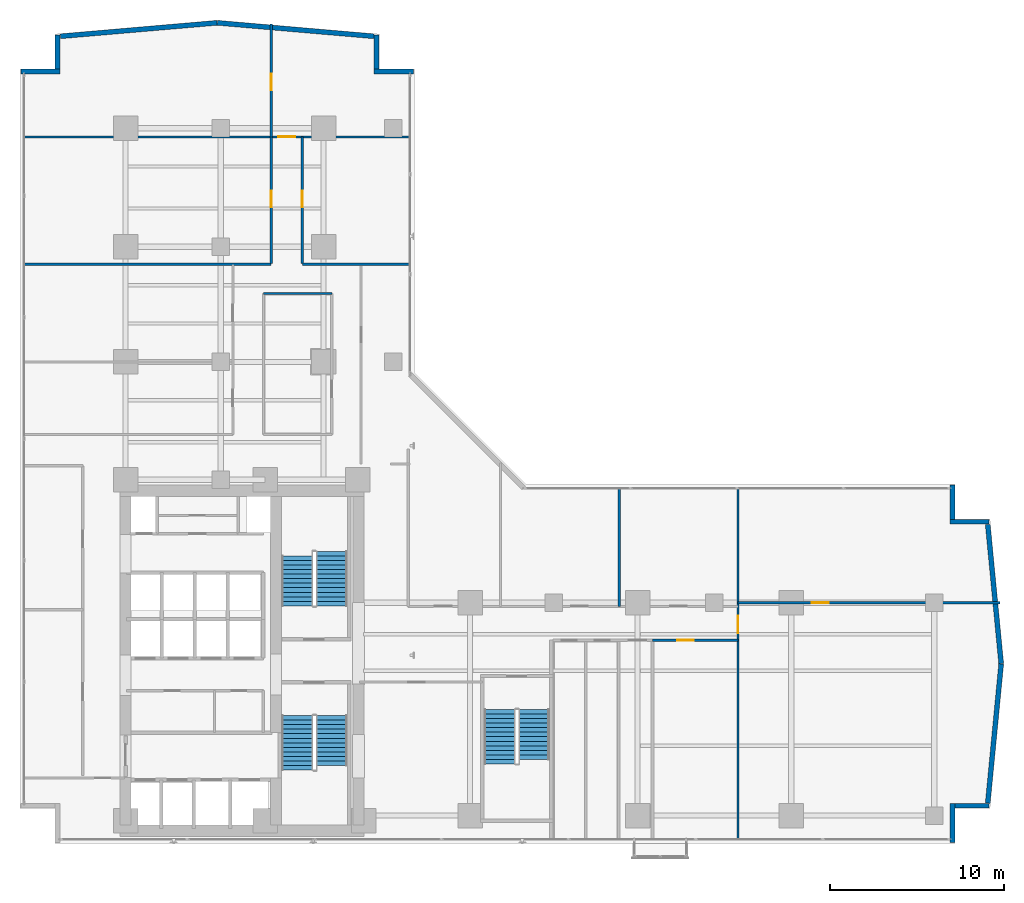
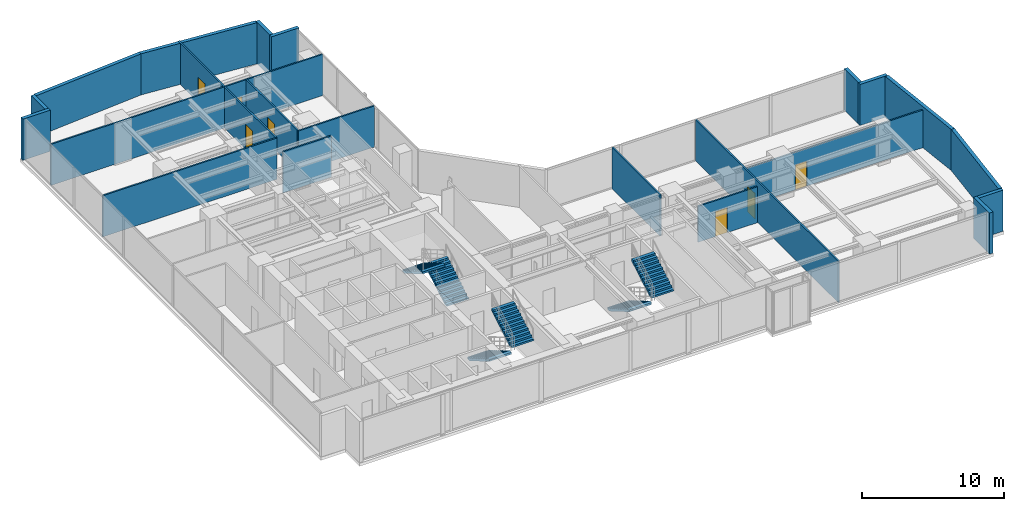
# One storey, part 22 of 27: 23 walls, 7 doors, 6 stair flights, 7 openings, 3 elements without a shape of their own.
"""IFC4 building model written with IfcOpenShell, lengths in metres."""

from ifc_helpers import new_model, si_unit, direction, frame, frame_2d, origin, place, context, subcontext, project, spatial, polyline, rectangle, outline, extrude, material, layer, layer_set, type_object, element, fill, aggregate, save


model = new_model("IFC4")

# Units and contexts
model_context = context("Model", 3, precision=1e-05, world=origin(), true_north=direction((0.0, 1.0)))
body_context = subcontext(model_context, "Body", "Model", "MODEL_VIEW")
ifc_project = project(units=[si_unit("LENGTHUNIT", "METRE"), si_unit("AREAUNIT", "SQUARE_METRE"), si_unit("VOLUMEUNIT", "CUBIC_METRE"), si_unit("PLANEANGLEUNIT", "RADIAN"), si_unit("MASSUNIT", "GRAM", prefix="KILO")], contexts=[model_context])

# Site, building, storey
site_placement = place(None, origin())
site = spatial("IfcSite", under=ifc_project, at=site_placement, CompositionType="ELEMENT")
building_placement = place(site_placement, origin())
building = spatial("IfcBuilding", under=site, at=building_placement, Name="Kolvaren Waterfront Exchange", CompositionType="ELEMENT")
storey_placement = place(building_placement, frame((0.0, 0.0, 118.300048828125)))
storey = spatial("IfcBuildingStorey", under=building, at=storey_placement, Name="L30", CompositionType="ELEMENT", Elevation=118.300048828125)

# Walls
ifc_material_1 = material(Name="Precast concrete C40/50", Category="concrete")
ifc_layer_1 = layer(ifc_material_1, 0.280029296875, Name="Precast concrete C40/50")
ifc_layer_set_1 = layer_set([ifc_layer_1], Name="Precast concrete C40/50")
wall_type_1 = type_object("IfcWallType", Name="ARC-EXT-TERR-280", PredefinedType="SOLIDWALL", material=ifc_layer_set_1)
wall_1_placement = place(storey_placement, frame((54.840087890625, 3.659912109375, 0.0), z_axis=(0.0, 0.0, 1.0), x_axis=(0.0, 1.0, 0.0)))
element("IfcWall", 1, at=wall_1_placement, inside=storey, type_object=wall_type_1, Name="L30 notched corner spandrel pier SE-A", PredefinedType="SOLIDWALL", context=body_context, shape_type="SweptSolid", body=[
    extrude(rectangle(XDim=2.239990234375, YDim=0.280029296875, at=frame_2d((1.1201171875, 0.0))), origin(), (0.0, 0.0, 1.0), 3.5400390625),
])
wall_2_placement = place(storey_placement, frame((54.97998046875, 5.760009765625, 0.0), z_axis=(0.0, 0.0, 1.0), x_axis=(1.0, 0.0, 0.0)))
element("IfcWall", 2, at=wall_2_placement, inside=storey, type_object=wall_type_1, Name="L30 notched corner spandrel pier SE-B", PredefinedType="SOLIDWALL", context=body_context, shape_type="SweptSolid", body=[
    extrude(rectangle(XDim=1.9599609375, YDim=0.280029296875, at=frame_2d((0.97998046875, 0.0))), origin(), (0.0, 0.0, 1.0), 3.5400390625),
])
wall_3_placement = place(storey_placement, frame((54.840087890625, 22.1650390625, 0.0), z_axis=(0.0, 0.0, 1.0), x_axis=(0.0, 1.0, 0.0)))
element("IfcWall", 3, at=wall_3_placement, inside=storey, type_object=wall_type_1, Name="L30 notched corner spandrel pier ENE-A", PredefinedType="SOLIDWALL", context=body_context, shape_type="SweptSolid", body=[
    extrude(rectangle(XDim=1.974853515625, YDim=0.280029296875, at=frame_2d((0.9873046875, 0.0))), origin(), (0.0, 0.0, 1.0), 3.5400390625),
])
for number, where, z_axis, x_axis, name in (
    (4, (54.699951171875, 22.0400390625, 0.0), (0.0, 0.0, 1.0), (1.0, 0.0, 0.0), "L30 notched corner spandrel pier ENE-B"),
    (5, (21.699951171875, 47.840087890625, 0.0), (0.0, 0.0, 1.0), (1.0, 0.0, 0.0), "L30 notched corner spandrel pier NNE-A"),
):
    element("IfcWall", number, at=place(storey_placement, frame(where, z_axis=z_axis, x_axis=x_axis)), inside=storey, type_object=wall_type_1, Name=name, PredefinedType="SOLIDWALL", context=body_context, shape_type="SweptSolid", body=[
        extrude(rectangle(XDim=2.239990234375, YDim=0.280029296875, at=frame_2d((1.1201171875, 0.0))), origin(), (0.0, 0.0, 1.0), 3.5400390625),
    ])
wall_4_placement = place(storey_placement, frame((21.840087890625, 47.97998046875, 0.0), z_axis=(0.0, 0.0, 1.0), x_axis=(0.0, 1.0, 0.0)))
element("IfcWall", 6, at=wall_4_placement, inside=storey, type_object=wall_type_1, Name="L30 notched corner spandrel pier NNE-B", PredefinedType="SOLIDWALL", context=body_context, shape_type="SweptSolid", body=[
    extrude(rectangle(XDim=1.9599609375, YDim=0.280029296875, at=frame_2d((0.97998046875, 0.0))), origin(), (0.0, 0.0, 1.0), 3.5400390625),
])
wall_5_placement = place(storey_placement, frame((1.4599609375, 47.840087890625, 0.0), z_axis=(0.0, 0.0, 1.0), x_axis=(1.0, 0.0, 0.0)))
element("IfcWall", 7, at=wall_5_placement, inside=storey, type_object=wall_type_1, Name="L30 notched corner spandrel pier NW-A", PredefinedType="SOLIDWALL", context=body_context, shape_type="SweptSolid", body=[
    extrude(rectangle(XDim=2.239990234375, YDim=0.280029296875, at=frame_2d((1.1201171875, 0.0))), origin(), (0.0, 0.0, 1.0), 3.5400390625),
])
wall_6_placement = place(storey_placement, frame((3.56005859375, 47.97998046875, 0.0), z_axis=(0.0, 0.0, 1.0), x_axis=(0.0, 1.0, 0.0)))
element("IfcWall", 8, at=wall_6_placement, inside=storey, type_object=wall_type_1, Name="L30 notched corner spandrel pier NW-B", PredefinedType="SOLIDWALL", context=body_context, shape_type="SweptSolid", body=[
    extrude(rectangle(XDim=1.9599609375, YDim=0.280029296875, at=frame_2d((0.97998046875, 0.0))), origin(), (0.0, 0.0, 1.0), 3.5400390625),
])
for number, where, z_axis, x_axis, name in (
    (9, (56.869384765625, 5.9140625, 0.0), (0.0, 0.0, 1.0), (0.095969995245, 0.995384227328, 0.0), "L30 east prow faceted facade wall 1"),
    (10, (57.638916015625, 13.904541015625, 0.0), (0.0, 0.0, 1.0), (-0.095969995245, 0.995384227328, 0.0), "L30 east prow faceted facade wall 2"),
):
    element("IfcWall", number, at=place(storey_placement, frame(where, z_axis=z_axis, x_axis=x_axis)), inside=storey, type_object=wall_type_1, Name=name, PredefinedType="SOLIDWALL", context=body_context, shape_type="SweptSolid", body=[
        extrude(rectangle(XDim=8.0185546875, YDim=0.280029296875, at=frame_2d((4.00927734375, 0.0))), origin(), (0.0, 0.0, 1.0), 3.5400390625),
    ])
for number, where, z_axis, x_axis, name in (
    (11, (21.6875, 49.8662109375, 0.0), (0.0, 0.0, 1.0), (-0.996319339243, 0.085719159179, 0.0), "L30 north prow faceted facade wall 1"),
    (12, (12.69384765625, 50.638916015625, 0.0), (0.0, 0.0, 1.0), (-0.996319339243, -0.085719159179, 0.0), "L30 north prow faceted facade wall 2"),
):
    element("IfcWall", number, at=place(storey_placement, frame(where, z_axis=z_axis, x_axis=x_axis)), inside=storey, type_object=wall_type_1, Name=name, PredefinedType="SOLIDWALL", context=body_context, shape_type="SweptSolid", body=[
        extrude(rectangle(XDim=9.014404296875, YDim=0.280029296875, at=frame_2d((4.50732421875, 0.0))), origin(), (0.0, 0.0, 1.0), 3.5400390625),
    ])
ifc_material_2 = material(Name="Acoustic gypsum steel stud", Category="steel")
ifc_layer_2 = layer(ifc_material_2, 0.125, Name="Acoustic gypsum steel stud")
ifc_layer_set_2 = layer_set([ifc_layer_2], Name="Acoustic gypsum steel stud")
wall_type_2 = type_object("IfcWallType", Name="ARC-PART-125", PredefinedType="PARTITIONING", material=ifc_layer_set_2)
wall_7_placement = place(storey_placement, frame((15.35009765625, 35.1201171875, 0.0), z_axis=(0.0, 0.0, 1.0), x_axis=(1.0, 0.0, 0.0)))
element("IfcWall", 13, at=wall_7_placement, inside=storey, type_object=wall_type_2, Name="L30 interior wall PW-L30-ISL-N", PredefinedType="PARTITIONING", context=body_context, shape_type="SweptSolid", body=[
    extrude(rectangle(XDim=3.919921875, YDim=0.125, at=frame_2d((1.9599609375, 0.0))), origin(), (0.0, 0.0, 1.0), 3.5400390625),
])
wall_8_placement = place(storey_placement, frame((1.639892578125, 36.800048828125, 0.0), z_axis=(0.0, 0.0, 1.0), x_axis=(1.0, 0.0, 0.0)))
element("IfcWall", 14, at=wall_8_placement, inside=storey, type_object=wall_type_2, Name="L30 interior wall PW-L30-MWL-N", PredefinedType="PARTITIONING", context=body_context, shape_type="SweptSolid", body=[
    extrude(rectangle(XDim=14.16015625, YDim=0.125, at=frame_2d((7.080078125, 0.0))), origin(), (0.0, 0.0, 1.0), 3.5400390625),
])
wall_9_placement = place(storey_placement, frame((17.580078125, 36.800048828125, 0.0), z_axis=(0.0, 0.0, 1.0), x_axis=(1.0, 0.0, 0.0)))
element("IfcWall", 15, at=wall_9_placement, inside=storey, type_object=wall_type_2, Name="L30 interior wall PW-L30-RFLANK-N", PredefinedType="PARTITIONING", context=body_context, shape_type="SweptSolid", body=[
    extrude(rectangle(XDim=6.179931640625, YDim=0.125, at=frame_2d((3.08984375, 0.0))), origin(), (0.0, 0.0, 1.0), 3.5400390625),
])

# Wall, opening, door
wall_10_placement = place(storey_placement, frame((37.64990234375, 15.25, 0.0), z_axis=(0.0, 0.0, 1.0), x_axis=(1.0, 0.0, 0.0)))
wall_10 = element("IfcWall", 16, at=wall_10_placement, inside=storey, type_object=wall_type_2, Name="L30 interior wall PW-L30-ES-CORR", PredefinedType="PARTITIONING", context=body_context, shape_type="SweptSolid", body=[
    extrude(rectangle(XDim=4.900146484375, YDim=0.125, at=frame_2d((2.4501953125, 0.0))), origin(), (0.0, 0.0, 1.0), 3.08984375),
])
opening_1_placement = place(wall_10_placement, frame((1.4267578125, 0.0, 0.0)))
opening_1 = element("IfcOpeningElement", 17, at=opening_1_placement, cuts=wall_10, Name="Opening D02", PredefinedType="OPENING", context=body_context, shape_type="SweptSolid", body=[
    extrude(rectangle(XDim=0.949951171875, YDim=2.14990234375, at=frame_2d((0.47509765625, 1.074951171875))), frame((0.0, 0.072509765625, 0.0), z_axis=(0.0, -1.0, 0.0), x_axis=(1.0, 0.0, 0.0)), (0.0, 0.0, 1.0), 0.14501953125),
])
ifc_material_3 = material(Name="Oak veneer acoustic timber", Category="wood")
door_type_1 = type_object("IfcDoorType", Name="ARC-DR-950", OperationType="NOTDEFINED", PredefinedType="DOOR", material=ifc_material_3)
door_1_placement = place(opening_1_placement, origin())
door_1 = element("IfcDoor", 18, at=door_1_placement, inside=storey, type_object=door_type_1, Name="L30 door DR-L30-ES-D-1 (D02)", OperationType="SINGLE_SWING_LEFT", OverallHeight=2.14990234375, OverallWidth=0.949951171875, PredefinedType="DOOR", context=body_context, shape_type="SweptSolid", body=[
    extrude(rectangle(XDim=0.949951171875, YDim=2.14990234375, at=frame_2d((0.47509765625, 1.074951171875))), frame((0.0, 0.02490234375, 0.0), z_axis=(0.0, -1.0, 0.0), x_axis=(1.0, 0.0, 0.0)), (0.0, 0.0, 1.0), 0.050048828125),
])
fill(opening_1, door_1)

wall_11_placement = place(storey_placement, frame((42.550048828125, 3.840087890625, 0.0), z_axis=(0.0, 0.0, 1.0), x_axis=(0.0, 1.0, 0.0)))
wall_11 = element("IfcWall", 19, at=wall_11_placement, inside=storey, type_object=wall_type_2, Name="L30 interior wall PW-L30-ETIP-W", PredefinedType="PARTITIONING", context=body_context, shape_type="SweptSolid", body=[
    extrude(rectangle(XDim=20.119873046875, YDim=0.125, at=frame_2d((10.06005859375, 0.0))), origin(), (0.0, 0.0, 1.0), 3.5400390625),
])
opening_2_placement = place(wall_11_placement, frame((11.81005859375, 0.0, 0.0)))
opening_2 = element("IfcOpeningElement", 20, at=opening_2_placement, cuts=wall_11, Name="Opening D03", PredefinedType="OPENING", context=body_context, shape_type="SweptSolid", body=[
    extrude(rectangle(XDim=1.0, YDim=2.199951171875, at=frame_2d((0.5, 1.10009765625))), frame((0.0, 0.072509765625, 0.0), z_axis=(0.0, -1.0, 0.0), x_axis=(1.0, 0.0, 0.0)), (0.0, 0.0, 1.0), 0.14501953125),
])
ifc_material_4 = material(Name="Oak veneer accessible timber", Category="wood")
door_type_2 = type_object("IfcDoorType", Name="ARC-DR-1000", OperationType="NOTDEFINED", PredefinedType="DOOR", material=ifc_material_4)
door_2_placement = place(opening_2_placement, origin())
door_2 = element("IfcDoor", 21, at=door_2_placement, inside=storey, type_object=door_type_2, Name="L30 door DR-L30-ETIP1-D (D03)", OperationType="SINGLE_SWING_RIGHT", OverallHeight=2.199951171875, OverallWidth=1.0, PredefinedType="DOOR", context=body_context, shape_type="SweptSolid", body=[
    extrude(rectangle(XDim=1.0, YDim=2.199951171875, at=frame_2d((0.5, 1.10009765625))), frame((0.0, 0.02490234375, 0.0), z_axis=(0.0, -1.0, 0.0), x_axis=(1.0, 0.0, 0.0)), (0.0, 0.0, 1.0), 0.050048828125),
])
fill(opening_2, door_2)

wall_12_placement = place(storey_placement, frame((42.550048828125, 17.39990234375, 0.0), z_axis=(0.0, 0.0, 1.0), x_axis=(1.0, 0.0, 0.0)))
wall_12 = element("IfcWall", 22, at=wall_12_placement, inside=storey, type_object=wall_type_2, Name="L30 interior wall PW-L30-ETIP-MID", PredefinedType="PARTITIONING", context=body_context, shape_type="SweptSolid", body=[
    extrude(rectangle(XDim=15.010009765625, YDim=0.125, at=frame_2d((7.5048828125, 0.0))), origin(), (0.0, 0.0, 1.0), 3.239990234375),
])
opening_3_placement = place(wall_12_placement, frame((4.24365234375, 0.0, 0.0)))
opening_3 = element("IfcOpeningElement", 23, at=opening_3_placement, cuts=wall_12, Name="Opening D02", PredefinedType="OPENING", context=body_context, shape_type="SweptSolid", body=[
    extrude(rectangle(XDim=0.949951171875, YDim=2.14990234375, at=frame_2d((0.47509765625, 1.074951171875))), frame((0.0, 0.072509765625, 0.0), z_axis=(0.0, -1.0, 0.0), x_axis=(1.0, 0.0, 0.0)), (0.0, 0.0, 1.0), 0.14501953125),
])
door_3_placement = place(opening_3_placement, origin())
door_3 = element("IfcDoor", 24, at=door_3_placement, inside=storey, type_object=door_type_1, Name="L30 door DR-L30-ETIP2-D (D02)", OperationType="SINGLE_SWING_LEFT", OverallHeight=2.14990234375, OverallWidth=0.949951171875, PredefinedType="DOOR", context=body_context, shape_type="SweptSolid", body=[
    extrude(rectangle(XDim=0.949951171875, YDim=2.14990234375, at=frame_2d((0.47509765625, 1.074951171875))), frame((0.0, 0.02490234375, 0.0), z_axis=(0.0, -1.0, 0.0), x_axis=(1.0, 0.0, 0.0)), (0.0, 0.0, 1.0), 0.050048828125),
])
fill(opening_3, door_3)

# Wall
wall_13_placement = place(storey_placement, frame((35.75, 17.18994140625, 0.0), z_axis=(0.0, 0.0, 1.0), x_axis=(0.0, 1.0, 0.0)))
element("IfcWall", 25, at=wall_13_placement, inside=storey, type_object=wall_type_2, Name="L30 interior wall PW-L30-EN-DIV-2", PredefinedType="PARTITIONING", context=body_context, shape_type="SweptSolid", body=[
    extrude(rectangle(XDim=6.77001953125, YDim=0.125, at=frame_2d((3.385009765625, 0.0))), origin(), (0.0, 0.0, 1.0), 3.5400390625),
])

# Wall, opening, door
wall_14_placement = place(storey_placement, frame((15.800048828125, 36.85009765625, 0.0), z_axis=(0.0, 0.0, 1.0), x_axis=(0.0, 1.0, 0.0)))
wall_14 = element("IfcWall", 26, at=wall_14_placement, inside=storey, type_object=wall_type_2, Name="L30 interior wall PW-L30-NW-CORR", PredefinedType="PARTITIONING", context=body_context, shape_type="SweptSolid", body=[
    extrude(rectangle(XDim=7.25, YDim=0.125, at=frame_2d((3.625, 0.0))), origin(), (0.0, 0.0, 1.0), 3.5400390625),
])
opening_4_placement = place(wall_14_placement, frame((3.220458984375, 0.0, 0.0)))
opening_4 = element("IfcOpeningElement", 27, at=opening_4_placement, cuts=wall_14, Name="Opening D02", PredefinedType="OPENING", context=body_context, shape_type="SweptSolid", body=[
    extrude(rectangle(XDim=0.949951171875, YDim=2.14990234375, at=frame_2d((0.47509765625, 1.074951171875))), frame((0.0, 0.072509765625, 0.0), z_axis=(0.0, -1.0, 0.0), x_axis=(1.0, 0.0, 0.0)), (0.0, 0.0, 1.0), 0.14501953125),
])
door_4_placement = place(opening_4_placement, origin())
door_4 = element("IfcDoor", 28, at=door_4_placement, inside=storey, type_object=door_type_1, Name="L30 door DR-L30-NW-D-1 (D02)", OperationType="SINGLE_SWING_LEFT", OverallHeight=2.14990234375, OverallWidth=0.949951171875, PredefinedType="DOOR", context=body_context, shape_type="SweptSolid", body=[
    extrude(rectangle(XDim=0.949951171875, YDim=2.14990234375, at=frame_2d((0.47509765625, 1.074951171875))), frame((0.0, 0.02490234375, 0.0), z_axis=(0.0, -1.0, 0.0), x_axis=(1.0, 0.0, 0.0)), (0.0, 0.0, 1.0), 0.050048828125),
])
fill(opening_4, door_4)

wall_15_placement = place(storey_placement, frame((1.639892578125, 44.10009765625, 0.0), z_axis=(0.0, 0.0, 1.0), x_axis=(1.0, 0.0, 0.0)))
wall_15 = element("IfcWall", 29, at=wall_15_placement, inside=storey, type_object=wall_type_2, Name="L30 interior wall PW-L30-NTIP-S", PredefinedType="PARTITIONING", context=body_context, shape_type="SweptSolid", body=[
    extrude(rectangle(XDim=22.1201171875, YDim=0.125, at=frame_2d((11.06005859375, 0.0))), origin(), (0.0, 0.0, 1.0), 3.5400390625),
])
opening_5_placement = place(wall_15_placement, frame((14.550048828125, 0.0, 0.0)))
opening_5 = element("IfcOpeningElement", 30, at=opening_5_placement, cuts=wall_15, Name="Opening D03", PredefinedType="OPENING", context=body_context, shape_type="SweptSolid", body=[
    extrude(rectangle(XDim=1.0, YDim=2.199951171875, at=frame_2d((0.5, 1.10009765625))), frame((0.0, 0.072509765625, 0.0), z_axis=(0.0, -1.0, 0.0), x_axis=(1.0, 0.0, 0.0)), (0.0, 0.0, 1.0), 0.14501953125),
])
door_5_placement = place(opening_5_placement, origin())
door_5 = element("IfcDoor", 31, at=door_5_placement, inside=storey, type_object=door_type_2, Name="L30 door DR-L30-NTIPE-D (D03)", OperationType="SINGLE_SWING_RIGHT", OverallHeight=2.199951171875, OverallWidth=1.0, PredefinedType="DOOR", context=body_context, shape_type="SweptSolid", body=[
    extrude(rectangle(XDim=1.0, YDim=2.199951171875, at=frame_2d((0.5, 1.10009765625))), frame((0.0, 0.02490234375, 0.0), z_axis=(0.0, -1.0, 0.0), x_axis=(1.0, 0.0, 0.0)), (0.0, 0.0, 1.0), 0.050048828125),
])
fill(opening_5, door_5)

wall_16_placement = place(storey_placement, frame((15.800048828125, 44.10009765625, 0.0), z_axis=(0.0, 0.0, 1.0), x_axis=(0.0, 1.0, 0.0)))
wall_16 = element("IfcWall", 32, at=wall_16_placement, inside=storey, type_object=wall_type_2, Name="L30 interior wall PW-L30-NTIP-DIV", PredefinedType="PARTITIONING", context=body_context, shape_type="SweptSolid", body=[
    extrude(rectangle(XDim=6.4599609375, YDim=0.125, at=frame_2d((3.22998046875, 0.0))), origin(), (0.0, 0.0, 1.0), 3.5400390625),
])
opening_6_placement = place(wall_16_placement, frame((2.677490234375, 0.0, 0.0)))
opening_6 = element("IfcOpeningElement", 33, at=opening_6_placement, cuts=wall_16, Name="Opening D02", PredefinedType="OPENING", context=body_context, shape_type="SweptSolid", body=[
    extrude(rectangle(XDim=0.949951171875, YDim=2.14990234375, at=frame_2d((0.47509765625, 1.074951171875))), frame((0.0, 0.072509765625, 0.0), z_axis=(0.0, -1.0, 0.0), x_axis=(1.0, 0.0, 0.0)), (0.0, 0.0, 1.0), 0.14501953125),
])
door_6_placement = place(opening_6_placement, origin())
door_6 = element("IfcDoor", 34, at=door_6_placement, inside=storey, type_object=door_type_1, Name="L30 door DR-L30-NTIPW-D (D02)", OperationType="SINGLE_SWING_LEFT", OverallHeight=2.14990234375, OverallWidth=0.949951171875, PredefinedType="DOOR", context=body_context, shape_type="SweptSolid", body=[
    extrude(rectangle(XDim=0.949951171875, YDim=2.14990234375, at=frame_2d((0.47509765625, 1.074951171875))), frame((0.0, 0.02490234375, 0.0), z_axis=(0.0, -1.0, 0.0), x_axis=(1.0, 0.0, 0.0)), (0.0, 0.0, 1.0), 0.050048828125),
])
fill(opening_6, door_6)

wall_17_placement = place(storey_placement, frame((17.580078125, 36.85009765625, 0.0), z_axis=(0.0, 0.0, 1.0), x_axis=(0.0, 1.0, 0.0)))
wall_17 = element("IfcWall", 35, at=wall_17_placement, inside=storey, type_object=wall_type_2, Name="L30 interior wall PW-L30-NE-CORR", PredefinedType="PARTITIONING", context=body_context, shape_type="SweptSolid", body=[
    extrude(rectangle(XDim=7.25, YDim=0.125, at=frame_2d((3.625, 0.0))), origin(), (0.0, 0.0, 1.0), 3.5400390625),
])
opening_7_placement = place(wall_17_placement, frame((3.220458984375, 0.0, 0.0)))
opening_7 = element("IfcOpeningElement", 36, at=opening_7_placement, cuts=wall_17, Name="Opening D02", PredefinedType="OPENING", context=body_context, shape_type="SweptSolid", body=[
    extrude(rectangle(XDim=0.949951171875, YDim=2.14990234375, at=frame_2d((0.47509765625, 1.074951171875))), frame((0.0, 0.072509765625, 0.0), z_axis=(0.0, -1.0, 0.0), x_axis=(1.0, 0.0, 0.0)), (0.0, 0.0, 1.0), 0.14501953125),
])
door_7_placement = place(opening_7_placement, origin())
door_7 = element("IfcDoor", 37, at=door_7_placement, inside=storey, type_object=door_type_1, Name="L30 door DR-L30-NE-D-1 (D02)", OperationType="SINGLE_SWING_RIGHT", OverallHeight=2.14990234375, OverallWidth=0.949951171875, PredefinedType="DOOR", context=body_context, shape_type="SweptSolid", body=[
    extrude(rectangle(XDim=0.949951171875, YDim=2.14990234375, at=frame_2d((0.47509765625, 1.074951171875))), frame((0.0, 0.02490234375, 0.0), z_axis=(0.0, -1.0, 0.0), x_axis=(1.0, 0.0, 0.0)), (0.0, 0.0, 1.0), 0.050048828125),
])
fill(opening_7, door_7)

# Stair, stair flights
ifc_material_5 = material(Name="Concrete C40/50", Category="concrete")
stair_type = type_object("IfcStairType", Name="ARC-STAIR-3800", PredefinedType="HALF_TURN_STAIR", material=ifc_material_5)
stair_1_placement = place(storey_placement, origin())
stair_1 = element("IfcStair", 38, at=stair_1_placement, inside=storey, type_object=stair_type, Name="L30 Smoke-proof exit stair ST1", PredefinedType="HALF_TURN_STAIR")
stair_flight_type = type_object("IfcStairFlightType", Name="ARC-FLIGHT-3800", PredefinedType="STRAIGHT", material=ifc_material_5)
stair_flight_1_placement = place(storey_placement, frame((17.300048828125, 10.929931640625, 0.0), z_axis=(0.0, 0.0, 1.0), x_axis=(0.0, -1.0, 0.0)))
stair_flight_1 = element("IfcStairFlight", 39, at=stair_flight_1_placement, type_object=stair_flight_type, Name="ST1 flight 1", NumberOfRisers=13, NumberOfTreads=12, PredefinedType="STRAIGHT", RiserHeight=0.152, TreadLength=0.26, context=body_context, shape_type="SweptSolid", body=[
    extrude(outline(polyline([(0.0, 0.0), (0.0, 0.152099609375), (0.260009765625, 0.152099609375), (0.260009765625, 0.303955078125), (0.52001953125, 0.303955078125), (0.52001953125, 0.4560546875), (0.780029296875, 0.4560546875), (0.780029296875, 0.60791015625), (1.0400390625, 0.60791015625), (1.0400390625, 0.760009765625), (1.300048828125, 0.760009765625), (1.300048828125, 0.912109375), (1.56005859375, 0.912109375), (1.56005859375, 1.06396484375), (1.820068359375, 1.06396484375), (1.820068359375, 1.216064453125), (2.080078125, 1.216064453125), (2.080078125, 1.367919921875), (2.340087890625, 1.367919921875), (2.340087890625, 1.52001953125), (2.60009765625, 1.52001953125), (2.60009765625, 1.672119140625), (2.860107421875, 1.672119140625), (2.860107421875, 1.823974609375), (3.1201171875, 1.823974609375), (3.1201171875, 1.97607421875), (3.1201171875, 1.650390625), (0.297119140625, 0.0), (0.0, 0.0)])), frame((0.0, 0.89990234375, 0.0), z_axis=(0.0, -1.0, 0.0), x_axis=(1.0, 0.0, 0.0)), (0.0, 0.0, 1.0), 1.800048828125),
])
stair_flight_2_placement = place(storey_placement, frame((19.260009765625, 8.070068359375, 1.975830078125), z_axis=(0.0, 0.0, 1.0), x_axis=(0.0, 1.0, 0.0)))
stair_flight_2 = element("IfcStairFlight", 40, at=stair_flight_2_placement, type_object=stair_flight_type, Name="ST1 flight 2", NumberOfRisers=12, NumberOfTreads=11, PredefinedType="STRAIGHT", RiserHeight=0.152, TreadLength=0.26, context=body_context, shape_type="SweptSolid", body=[
    extrude(outline(polyline([(0.0, 0.0), (0.0, 0.152099609375), (0.260009765625, 0.152099609375), (0.260009765625, 0.303955078125), (0.52001953125, 0.303955078125), (0.52001953125, 0.4560546875), (0.780029296875, 0.4560546875), (0.780029296875, 0.60791015625), (1.0400390625, 0.60791015625), (1.0400390625, 0.760009765625), (1.300048828125, 0.760009765625), (1.300048828125, 0.912109375), (1.56005859375, 0.912109375), (1.56005859375, 1.06396484375), (1.820068359375, 1.06396484375), (1.820068359375, 1.216064453125), (2.080078125, 1.216064453125), (2.080078125, 1.367919921875), (2.340087890625, 1.367919921875), (2.340087890625, 1.52001953125), (2.60009765625, 1.52001953125), (2.60009765625, 1.672119140625), (2.860107421875, 1.672119140625), (2.860107421875, 1.823974609375), (2.860107421875, 1.498291015625), (0.297119140625, 0.0), (0.0, 0.0)])), frame((0.0, 0.89990234375, 0.0), z_axis=(0.0, -1.0, 0.0), x_axis=(1.0, 0.0, 0.0)), (0.0, 0.0, 1.0), 1.800048828125),
])
aggregate(stair_1, [stair_flight_1, stair_flight_2])

stair_2_placement = place(storey_placement, origin())
stair_2 = element("IfcStair", 41, at=stair_2_placement, inside=storey, type_object=stair_type, Name="L30 Smoke-proof exit stair ST2", PredefinedType="HALF_TURN_STAIR")
stair_flight_3_placement = place(storey_placement, frame((19.260009765625, 17.219970703125, 0.0), z_axis=(0.0, 0.0, 1.0), x_axis=(0.0, 1.0, 0.0)))
stair_flight_3 = element("IfcStairFlight", 42, at=stair_flight_3_placement, type_object=stair_flight_type, Name="ST2 flight 1", NumberOfRisers=13, NumberOfTreads=12, PredefinedType="STRAIGHT", RiserHeight=0.152, TreadLength=0.26, context=body_context, shape_type="SweptSolid", body=[
    extrude(outline(polyline([(0.0, 0.0), (0.0, 0.152099609375), (0.260009765625, 0.152099609375), (0.260009765625, 0.303955078125), (0.52001953125, 0.303955078125), (0.52001953125, 0.4560546875), (0.780029296875, 0.4560546875), (0.780029296875, 0.60791015625), (1.0400390625, 0.60791015625), (1.0400390625, 0.760009765625), (1.300048828125, 0.760009765625), (1.300048828125, 0.912109375), (1.56005859375, 0.912109375), (1.56005859375, 1.06396484375), (1.820068359375, 1.06396484375), (1.820068359375, 1.216064453125), (2.080078125, 1.216064453125), (2.080078125, 1.367919921875), (2.340087890625, 1.367919921875), (2.340087890625, 1.52001953125), (2.60009765625, 1.52001953125), (2.60009765625, 1.672119140625), (2.860107421875, 1.672119140625), (2.860107421875, 1.823974609375), (3.1201171875, 1.823974609375), (3.1201171875, 1.97607421875), (3.1201171875, 1.650390625), (0.297119140625, 0.0), (0.0, 0.0)])), frame((0.0, 0.89990234375, 0.0), z_axis=(0.0, -1.0, 0.0), x_axis=(1.0, 0.0, 0.0)), (0.0, 0.0, 1.0), 1.800048828125),
])
stair_flight_4_placement = place(storey_placement, frame((17.300048828125, 20.080078125, 1.975830078125), z_axis=(0.0, 0.0, 1.0), x_axis=(0.0, -1.0, 0.0)))
stair_flight_4 = element("IfcStairFlight", 43, at=stair_flight_4_placement, type_object=stair_flight_type, Name="ST2 flight 2", NumberOfRisers=12, NumberOfTreads=11, PredefinedType="STRAIGHT", RiserHeight=0.152, TreadLength=0.26, context=body_context, shape_type="SweptSolid", body=[
    extrude(outline(polyline([(0.0, 0.0), (0.0, 0.152099609375), (0.260009765625, 0.152099609375), (0.260009765625, 0.303955078125), (0.52001953125, 0.303955078125), (0.52001953125, 0.4560546875), (0.780029296875, 0.4560546875), (0.780029296875, 0.60791015625), (1.0400390625, 0.60791015625), (1.0400390625, 0.760009765625), (1.300048828125, 0.760009765625), (1.300048828125, 0.912109375), (1.56005859375, 0.912109375), (1.56005859375, 1.06396484375), (1.820068359375, 1.06396484375), (1.820068359375, 1.216064453125), (2.080078125, 1.216064453125), (2.080078125, 1.367919921875), (2.340087890625, 1.367919921875), (2.340087890625, 1.52001953125), (2.60009765625, 1.52001953125), (2.60009765625, 1.672119140625), (2.860107421875, 1.672119140625), (2.860107421875, 1.823974609375), (2.860107421875, 1.498291015625), (0.297119140625, 0.0), (0.0, 0.0)])), frame((0.0, 0.89990234375, 0.0), z_axis=(0.0, -1.0, 0.0), x_axis=(1.0, 0.0, 0.0)), (0.0, 0.0, 1.0), 1.800048828125),
])
aggregate(stair_2, [stair_flight_3, stair_flight_4])

stair_3_placement = place(storey_placement, origin())
stair_3 = element("IfcStair", 44, at=stair_3_placement, inside=storey, type_object=stair_type, Name="L30 Exit stair ST3", PredefinedType="HALF_TURN_STAIR")
stair_flight_5_placement = place(storey_placement, frame((28.89990234375, 11.280029296875, 0.0), z_axis=(0.0, 0.0, 1.0), x_axis=(0.0, -1.0, 0.0)))
stair_flight_5 = element("IfcStairFlight", 45, at=stair_flight_5_placement, type_object=stair_flight_type, Name="ST3 flight 1", NumberOfRisers=13, NumberOfTreads=12, PredefinedType="STRAIGHT", RiserHeight=0.152, TreadLength=0.26, context=body_context, shape_type="SweptSolid", body=[
    extrude(outline(polyline([(0.0, 0.0), (0.0, 0.152099609375), (0.260009765625, 0.152099609375), (0.260009765625, 0.303955078125), (0.52001953125, 0.303955078125), (0.52001953125, 0.4560546875), (0.780029296875, 0.4560546875), (0.780029296875, 0.60791015625), (1.0400390625, 0.60791015625), (1.0400390625, 0.760009765625), (1.300048828125, 0.760009765625), (1.300048828125, 0.912109375), (1.56005859375, 0.912109375), (1.56005859375, 1.06396484375), (1.820068359375, 1.06396484375), (1.820068359375, 1.216064453125), (2.080078125, 1.216064453125), (2.080078125, 1.367919921875), (2.340087890625, 1.367919921875), (2.340087890625, 1.52001953125), (2.60009765625, 1.52001953125), (2.60009765625, 1.672119140625), (2.860107421875, 1.672119140625), (2.860107421875, 1.823974609375), (3.1201171875, 1.823974609375), (3.1201171875, 1.97607421875), (3.1201171875, 1.650390625), (0.297119140625, 0.0), (0.0, 0.0)])), frame((0.0, 0.89990234375, 0.0), z_axis=(0.0, -1.0, 0.0), x_axis=(1.0, 0.0, 0.0)), (0.0, 0.0, 1.0), 1.800048828125),
])
stair_flight_6_placement = place(storey_placement, frame((30.860107421875, 8.419921875, 1.975830078125), z_axis=(0.0, 0.0, 1.0), x_axis=(0.0, 1.0, 0.0)))
stair_flight_6 = element("IfcStairFlight", 46, at=stair_flight_6_placement, type_object=stair_flight_type, Name="ST3 flight 2", NumberOfRisers=12, NumberOfTreads=11, PredefinedType="STRAIGHT", RiserHeight=0.152, TreadLength=0.26, context=body_context, shape_type="SweptSolid", body=[
    extrude(outline(polyline([(0.0, 0.0), (0.0, 0.152099609375), (0.260009765625, 0.152099609375), (0.260009765625, 0.303955078125), (0.52001953125, 0.303955078125), (0.52001953125, 0.4560546875), (0.780029296875, 0.4560546875), (0.780029296875, 0.60791015625), (1.0400390625, 0.60791015625), (1.0400390625, 0.760009765625), (1.300048828125, 0.760009765625), (1.300048828125, 0.912109375), (1.56005859375, 0.912109375), (1.56005859375, 1.06396484375), (1.820068359375, 1.06396484375), (1.820068359375, 1.216064453125), (2.080078125, 1.216064453125), (2.080078125, 1.367919921875), (2.340087890625, 1.367919921875), (2.340087890625, 1.52001953125), (2.60009765625, 1.52001953125), (2.60009765625, 1.672119140625), (2.860107421875, 1.672119140625), (2.860107421875, 1.823974609375), (2.860107421875, 1.498291015625), (0.297119140625, 0.0), (0.0, 0.0)])), frame((0.0, 0.89990234375, 0.0), z_axis=(0.0, -1.0, 0.0), x_axis=(1.0, 0.0, 0.0)), (0.0, 0.0, 1.0), 1.800048828125),
])
aggregate(stair_3, [stair_flight_5, stair_flight_6])

save(model, "model.ifc")
